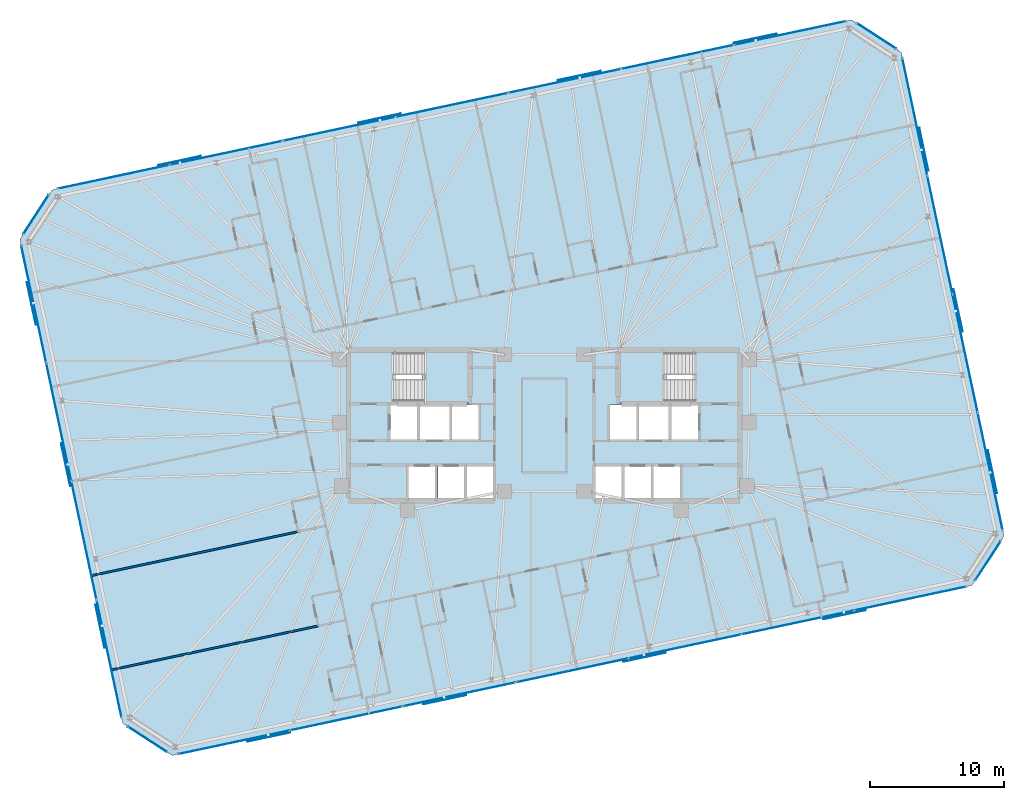
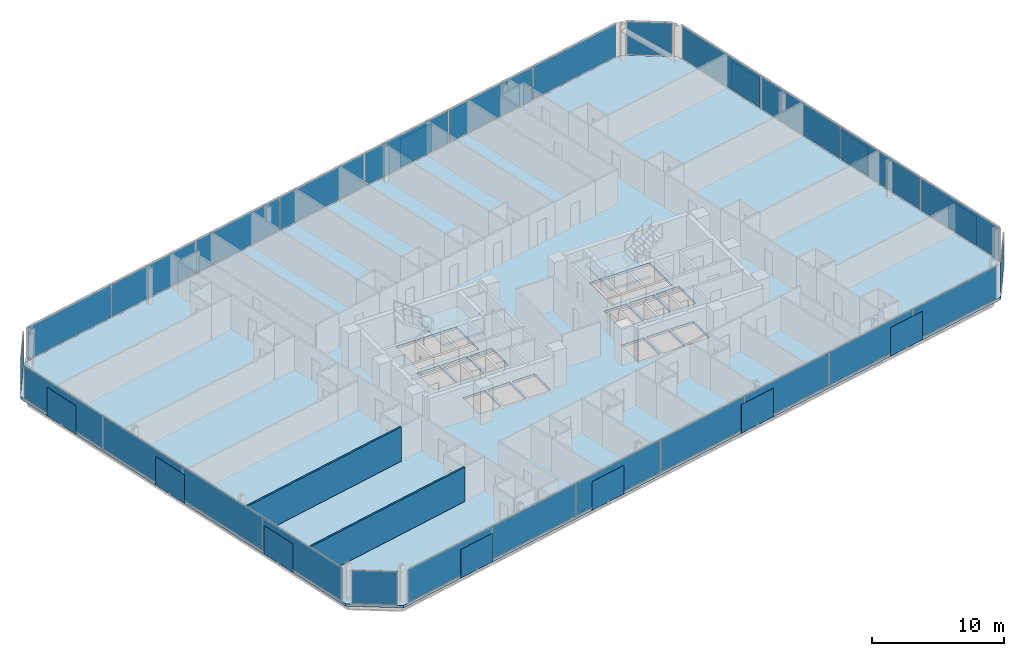
# One storey, part 13 of 20: 40 plates, 3 slabs, 2 walls, 10 elements without a shape of their own.
"""IFC4 building model written with IfcOpenShell, lengths in metres."""

from ifc_helpers import new_model, si_unit, direction, frame, frame_2d, origin, origin_2d, place, context, subcontext, project, spatial, polyline, rectangle, outline, extrude, material, layer, layer_set, type_object, element, aggregate, save


model = new_model("IFC4")

# Units and contexts
model_context = context("Model", 3, precision=1e-05, world=origin(), true_north=direction((0.0, 1.0)))
body_context = subcontext(model_context, "Body", "Model", "MODEL_VIEW")
ifc_project = project(units=[si_unit("LENGTHUNIT", "METRE"), si_unit("AREAUNIT", "SQUARE_METRE"), si_unit("VOLUMEUNIT", "CUBIC_METRE"), si_unit("PLANEANGLEUNIT", "RADIAN"), si_unit("MASSUNIT", "GRAM", prefix="KILO")], contexts=[model_context])

# Site, building, storey
site_placement = place(None, origin())
site = spatial("IfcSite", under=ifc_project, at=site_placement, CompositionType="ELEMENT")
building_placement = place(site_placement, origin())
building = spatial("IfcBuilding", under=site, at=building_placement, Name="Menara Jurai Vektor", CompositionType="ELEMENT")
storey_placement = place(building_placement, frame((0.0, 0.0, 185.39990234375)))
storey = spatial("IfcBuildingStorey", under=building, at=storey_placement, Name="L48", CompositionType="ELEMENT", Elevation=185.39990234375)

# Curtain wall, plates
ifc_material_1 = material(Name="Anodised Pale Aluminium & Low-E Double Glazing", Category="aluminium")
curtain_wall_type = type_object("IfcCurtainWallType", Name="CW-BLK3", PredefinedType="NOTDEFINED", material=ifc_material_1)
curtain_wall_1_placement = place(storey_placement, origin())
curtain_wall_1 = element("IfcCurtainWall", 1, at=curtain_wall_1_placement, inside=storey, type_object=curtain_wall_type, Name="Unitised Curtain Wall L48 F01", PredefinedType="NOTDEFINED")
ifc_material_2 = material(Name="Low-E Solar-Control Double Glazed Unit", Category="glass")
ifc_layer_1 = layer(ifc_material_2, 0.031982421875)
ifc_layer_set_1 = layer_set([ifc_layer_1], Name="Low-E Solar-Control Double Glazed Unit")
plate_type_1 = type_object("IfcPlateType", Name="CW-BLK3-PNL", PredefinedType="CURTAIN_PANEL", material=ifc_layer_set_1)
plate_1_placement = place(storey_placement, frame((-23.078369140625, -23.57568359375, 0.085205078125), z_axis=(0.0, 0.0, 1.0), x_axis=(0.978147674419, 0.207911344156, 0.0)))
plate_1 = element("IfcPlate", 2, at=plate_1_placement, type_object=plate_type_1, Name="CW-03 panel 1.1", PredefinedType="CURTAIN_PANEL", context=body_context, shape_type="SweptSolid", body=[
    extrude(rectangle(XDim=8.44970703125, YDim=0.031982421875, at=origin_2d()), origin(), (0.0, 0.0, 1.0), 3.0048828125),
])
plate_2_placement = place(storey_placement, frame((-14.709228515625, -21.796875, 0.085205078125), z_axis=(0.0, 0.0, 1.0), x_axis=(0.978147674419, 0.207911344156, 0.0)))
plate_2 = element("IfcPlate", 3, at=plate_2_placement, type_object=plate_type_1, Name="CW-03 panel 2.1", PredefinedType="CURTAIN_PANEL", context=body_context, shape_type="SweptSolid", body=[
    extrude(rectangle(XDim=8.4921875, YDim=0.031982421875, at=origin_2d()), origin(), (0.0, 0.0, 1.0), 3.0048828125),
])
plate_3_placement = place(storey_placement, frame((-6.319580078125, -20.013427734375, 0.085205078125), z_axis=(0.0, 0.0, 1.0), x_axis=(0.978147674419, 0.207911344156, 0.0)))
plate_3 = element("IfcPlate", 4, at=plate_3_placement, type_object=plate_type_1, Name="CW-03 panel 3.1", PredefinedType="CURTAIN_PANEL", context=body_context, shape_type="SweptSolid", body=[
    extrude(rectangle(XDim=8.4921875, YDim=0.031982421875, at=origin_2d()), origin(), (0.0, 0.0, 1.0), 3.0048828125),
])
plate_4_placement = place(storey_placement, frame((2.070068359375, -18.230224609375, 0.085205078125), z_axis=(0.0, 0.0, 1.0), x_axis=(0.978147674419, 0.207911344156, 0.0)))
plate_4 = element("IfcPlate", 5, at=plate_4_placement, type_object=plate_type_1, Name="CW-03 panel 4.1", PredefinedType="CURTAIN_PANEL", context=body_context, shape_type="SweptSolid", body=[
    extrude(rectangle(XDim=8.4921875, YDim=0.031982421875, at=origin_2d()), origin(), (0.0, 0.0, 1.0), 3.0048828125),
])
plate_5_placement = place(storey_placement, frame((10.459716796875, -16.447021484375, 0.085205078125), z_axis=(0.0, 0.0, 1.0), x_axis=(0.978147674419, 0.207911344156, 0.0)))
plate_5 = element("IfcPlate", 6, at=plate_5_placement, type_object=plate_type_1, Name="CW-03 panel 5.1", PredefinedType="CURTAIN_PANEL", context=body_context, shape_type="SweptSolid", body=[
    extrude(rectangle(XDim=8.4921875, YDim=0.031982421875, at=origin_2d()), origin(), (0.0, 0.0, 1.0), 3.0048828125),
])
plate_6_placement = place(storey_placement, frame((18.849609375, -14.66357421875, 0.085205078125), z_axis=(0.0, 0.0, 1.0), x_axis=(0.978147674419, 0.207911344156, 0.0)))
plate_6 = element("IfcPlate", 7, at=plate_6_placement, type_object=plate_type_1, Name="CW-03 panel 6.1", PredefinedType="CURTAIN_PANEL", context=body_context, shape_type="SweptSolid", body=[
    extrude(rectangle(XDim=8.4921875, YDim=0.031982421875, at=origin_2d()), origin(), (0.0, 0.0, 1.0), 3.0048828125),
])
plate_7_placement = place(storey_placement, frame((27.218505859375, -12.884765625, 0.085205078125), z_axis=(0.0, 0.0, 1.0), x_axis=(0.978147674419, 0.207911344156, 0.0)))
plate_7 = element("IfcPlate", 8, at=plate_7_placement, type_object=plate_type_1, Name="CW-03 panel 7.1", PredefinedType="CURTAIN_PANEL", context=body_context, shape_type="SweptSolid", body=[
    extrude(rectangle(XDim=8.44970703125, YDim=0.031982421875, at=origin_2d()), origin(), (0.0, 0.0, 1.0), 3.0048828125),
])
aggregate(curtain_wall_1, [plate_1, plate_2, plate_3, plate_4, plate_5, plate_6, plate_7])

curtain_wall_2_placement = place(storey_placement, origin())
curtain_wall_2 = element("IfcCurtainWall", 9, at=curtain_wall_2_placement, inside=storey, type_object=curtain_wall_type, Name="Unitised Curtain Wall L48 F03", PredefinedType="NOTDEFINED")
plate_8_placement = place(storey_placement, frame((33.17333984375, -3.433837890625, 0.085205078125), z_axis=(0.0, 0.0, 1.0), x_axis=(-0.20791035839, 0.978147883949, 0.0)))
plate_8 = element("IfcPlate", 10, at=plate_8_placement, type_object=plate_type_1, Name="CW-03 panel 1.1", PredefinedType="CURTAIN_PANEL", context=body_context, shape_type="SweptSolid", body=[
    extrude(rectangle(XDim=8.882568359375, YDim=0.031982421875, at=origin_2d()), origin(), (0.0, 0.0, 1.0), 3.0048828125),
])
plate_9_placement = place(storey_placement, frame((31.3046875, 5.3583984375, 0.085205078125), z_axis=(0.0, 0.0, 1.0), x_axis=(-0.20791035839, 0.978147883949, 0.0)))
plate_9 = element("IfcPlate", 11, at=plate_9_placement, type_object=plate_type_1, Name="CW-03 panel 2.1", PredefinedType="CURTAIN_PANEL", context=body_context, shape_type="SweptSolid", body=[
    extrude(rectangle(XDim=8.925048828125, YDim=0.031982421875, at=origin_2d()), origin(), (0.0, 0.0, 1.0), 3.0048828125),
])
plate_10_placement = place(storey_placement, frame((29.431396484375, 14.171630859375, 0.085205078125), z_axis=(0.0, 0.0, 1.0), x_axis=(-0.20791035839, 0.978147883949, 0.0)))
plate_10 = element("IfcPlate", 12, at=plate_10_placement, type_object=plate_type_1, Name="CW-03 panel 3.1", PredefinedType="CURTAIN_PANEL", context=body_context, shape_type="SweptSolid", body=[
    extrude(rectangle(XDim=8.925048828125, YDim=0.031982421875, at=origin_2d()), origin(), (0.0, 0.0, 1.0), 3.0048828125),
])
plate_11_placement = place(storey_placement, frame((27.5625, 22.9638671875, 0.085205078125), z_axis=(0.0, 0.0, 1.0), x_axis=(-0.20791035839, 0.978147883949, 0.0)))
plate_11 = element("IfcPlate", 13, at=plate_11_placement, type_object=plate_type_1, Name="CW-03 panel 4.1", PredefinedType="CURTAIN_PANEL", context=body_context, shape_type="SweptSolid", body=[
    extrude(rectangle(XDim=8.882568359375, YDim=0.031982421875, at=origin_2d()), origin(), (0.0, 0.0, 1.0), 3.0048828125),
])
aggregate(curtain_wall_2, [plate_8, plate_9, plate_10, plate_11])

curtain_wall_3_placement = place(storey_placement, origin())
curtain_wall_3 = element("IfcCurtainWall", 14, at=curtain_wall_3_placement, inside=storey, type_object=curtain_wall_type, Name="Unitised Curtain Wall L48 F05", PredefinedType="NOTDEFINED")
plate_12_placement = place(storey_placement, frame((18.2783203125, 29.175537109375, 0.085205078125), z_axis=(0.0, 0.0, 1.0), x_axis=(-0.978147674419, -0.207911344156, 0.0)))
plate_12 = element("IfcPlate", 15, at=plate_12_placement, type_object=plate_type_1, Name="CW-03 panel 1.1", PredefinedType="CURTAIN_PANEL", context=body_context, shape_type="SweptSolid", body=[
    extrude(rectangle(XDim=8.44970703125, YDim=0.031982421875, at=origin_2d()), origin(), (0.0, 0.0, 1.0), 3.0048828125),
])
plate_13_placement = place(storey_placement, frame((9.909423828125, 27.396728515625, 0.085205078125), z_axis=(0.0, 0.0, 1.0), x_axis=(-0.978147674419, -0.207911344156, 0.0)))
plate_13 = element("IfcPlate", 16, at=plate_13_placement, type_object=plate_type_1, Name="CW-03 panel 2.1", PredefinedType="CURTAIN_PANEL", context=body_context, shape_type="SweptSolid", body=[
    extrude(rectangle(XDim=8.4921875, YDim=0.031982421875, at=origin_2d()), origin(), (0.0, 0.0, 1.0), 3.0048828125),
])
plate_14_placement = place(storey_placement, frame((1.51953125, 25.613525390625, 0.085205078125), z_axis=(0.0, 0.0, 1.0), x_axis=(-0.978147674419, -0.207911344156, 0.0)))
plate_14 = element("IfcPlate", 17, at=plate_14_placement, type_object=plate_type_1, Name="CW-03 panel 3.1", PredefinedType="CURTAIN_PANEL", context=body_context, shape_type="SweptSolid", body=[
    extrude(rectangle(XDim=8.4921875, YDim=0.031982421875, at=origin_2d()), origin(), (0.0, 0.0, 1.0), 3.0048828125),
])
plate_15_placement = place(storey_placement, frame((-6.8701171875, 23.830078125, 0.085205078125), z_axis=(0.0, 0.0, 1.0), x_axis=(-0.978147674419, -0.207911344156, 0.0)))
plate_15 = element("IfcPlate", 18, at=plate_15_placement, type_object=plate_type_1, Name="CW-03 panel 4.1", PredefinedType="CURTAIN_PANEL", context=body_context, shape_type="SweptSolid", body=[
    extrude(rectangle(XDim=8.4921875, YDim=0.031982421875, at=origin_2d()), origin(), (0.0, 0.0, 1.0), 3.0048828125),
])
plate_16_placement = place(storey_placement, frame((-15.259765625, 22.046875, 0.085205078125), z_axis=(0.0, 0.0, 1.0), x_axis=(-0.978147674419, -0.207911344156, 0.0)))
plate_16 = element("IfcPlate", 19, at=plate_16_placement, type_object=plate_type_1, Name="CW-03 panel 5.1", PredefinedType="CURTAIN_PANEL", context=body_context, shape_type="SweptSolid", body=[
    extrude(rectangle(XDim=8.4921875, YDim=0.031982421875, at=origin_2d()), origin(), (0.0, 0.0, 1.0), 3.0048828125),
])
plate_17_placement = place(storey_placement, frame((-23.6494140625, 20.263671875, 0.085205078125), z_axis=(0.0, 0.0, 1.0), x_axis=(-0.978147674419, -0.207911344156, 0.0)))
plate_17 = element("IfcPlate", 20, at=plate_17_placement, type_object=plate_type_1, Name="CW-03 panel 6.1", PredefinedType="CURTAIN_PANEL", context=body_context, shape_type="SweptSolid", body=[
    extrude(rectangle(XDim=8.4921875, YDim=0.031982421875, at=origin_2d()), origin(), (0.0, 0.0, 1.0), 3.0048828125),
])
plate_18_placement = place(storey_placement, frame((-32.0185546875, 18.48486328125, 0.085205078125), z_axis=(0.0, 0.0, 1.0), x_axis=(-0.978147674419, -0.207911344156, 0.0)))
plate_18 = element("IfcPlate", 21, at=plate_18_placement, type_object=plate_type_1, Name="CW-03 panel 7.1", PredefinedType="CURTAIN_PANEL", context=body_context, shape_type="SweptSolid", body=[
    extrude(rectangle(XDim=8.44970703125, YDim=0.031982421875, at=origin_2d()), origin(), (0.0, 0.0, 1.0), 3.0048828125),
])
aggregate(curtain_wall_3, [plate_12, plate_13, plate_14, plate_15, plate_16, plate_17, plate_18])

curtain_wall_4_placement = place(storey_placement, origin())
curtain_wall_4 = element("IfcCurtainWall", 22, at=curtain_wall_4_placement, inside=storey, type_object=curtain_wall_type, Name="Unitised Curtain Wall L48 F07", PredefinedType="NOTDEFINED")
plate_19_placement = place(storey_placement, frame((-37.973388671875, 9.033935546875, 0.085205078125), z_axis=(0.0, 0.0, 1.0), x_axis=(0.20791035839, -0.978147883949, 0.0)))
plate_19 = element("IfcPlate", 23, at=plate_19_placement, type_object=plate_type_1, Name="CW-03 panel 1.1", PredefinedType="CURTAIN_PANEL", context=body_context, shape_type="SweptSolid", body=[
    extrude(rectangle(XDim=8.882568359375, YDim=0.031982421875, at=origin_2d()), origin(), (0.0, 0.0, 1.0), 3.0048828125),
])
plate_20_placement = place(storey_placement, frame((-36.1044921875, 0.241455078125, 0.085205078125), z_axis=(0.0, 0.0, 1.0), x_axis=(0.20791035839, -0.978147883949, 0.0)))
plate_20 = element("IfcPlate", 24, at=plate_20_placement, type_object=plate_type_1, Name="CW-03 panel 2.1", PredefinedType="CURTAIN_PANEL", context=body_context, shape_type="SweptSolid", body=[
    extrude(rectangle(XDim=8.925048828125, YDim=0.031982421875, at=origin_2d()), origin(), (0.0, 0.0, 1.0), 3.0048828125),
])
plate_21_placement = place(storey_placement, frame((-34.231201171875, -8.571533203125, 0.085205078125), z_axis=(0.0, 0.0, 1.0), x_axis=(0.20791035839, -0.978147883949, 0.0)))
plate_21 = element("IfcPlate", 25, at=plate_21_placement, type_object=plate_type_1, Name="CW-03 panel 3.1", PredefinedType="CURTAIN_PANEL", context=body_context, shape_type="SweptSolid", body=[
    extrude(rectangle(XDim=8.925048828125, YDim=0.031982421875, at=origin_2d()), origin(), (0.0, 0.0, 1.0), 3.0048828125),
])
plate_22_placement = place(storey_placement, frame((-32.362548828125, -17.364013671875, 0.085205078125), z_axis=(0.0, 0.0, 1.0), x_axis=(0.20791035839, -0.978147883949, 0.0)))
plate_22 = element("IfcPlate", 26, at=plate_22_placement, type_object=plate_type_1, Name="CW-03 panel 4.1", PredefinedType="CURTAIN_PANEL", context=body_context, shape_type="SweptSolid", body=[
    extrude(rectangle(XDim=8.882568359375, YDim=0.031982421875, at=origin_2d()), origin(), (0.0, 0.0, 1.0), 3.0048828125),
])
aggregate(curtain_wall_4, [plate_19, plate_20, plate_21, plate_22])

# Curtain wall, plate
curtain_wall_5_placement = place(storey_placement, origin())
curtain_wall_5 = element("IfcCurtainWall", 27, at=curtain_wall_5_placement, inside=storey, type_object=curtain_wall_type, Name="Unitised Curtain Wall L48 F02", PredefinedType="NOTDEFINED")
ifc_material_3 = material(Name="Insulated Pale Aluminium Spandrel Panel", Category="aluminium")
ifc_layer_2 = layer(ifc_material_3, 0.06005859375)
ifc_layer_set_2 = layer_set([ifc_layer_2], Name="Insulated Pale Aluminium Spandrel Panel")
plate_type_2 = type_object("IfcPlateType", Name="CW-PNL-SP", PredefinedType="CURTAIN_PANEL", material=ifc_layer_set_2)
plate_23_placement = place(storey_placement, frame((32.999755859375, -10.0712890625, 0.085205078125), z_axis=(0.0, 0.0, 1.0), x_axis=(0.544617794346, 0.838684361415, 0.0)))
plate_23 = element("IfcPlate", 28, at=plate_23_placement, type_object=plate_type_2, Name="CW-03 panel 1.1", PredefinedType="CURTAIN_PANEL", context=body_context, shape_type="SweptSolid", body=[
    extrude(rectangle(XDim=3.4541015625, YDim=0.06005859375, at=origin_2d()), origin(), (0.0, 0.0, 1.0), 3.0048828125),
])
aggregate(curtain_wall_5, [plate_23])

curtain_wall_6_placement = place(storey_placement, origin())
curtain_wall_6 = element("IfcCurtainWall", 29, at=curtain_wall_6_placement, inside=storey, type_object=curtain_wall_type, Name="Unitised Curtain Wall L48 F04", PredefinedType="NOTDEFINED")
plate_24_placement = place(storey_placement, frame((24.7041015625, 28.956787109375, 0.085205078125), z_axis=(0.0, 0.0, 1.0), x_axis=(-0.838684361415, 0.544617794346, 0.0)))
plate_24 = element("IfcPlate", 30, at=plate_24_placement, type_object=plate_type_2, Name="CW-03 panel 1.1", PredefinedType="CURTAIN_PANEL", context=body_context, shape_type="SweptSolid", body=[
    extrude(rectangle(XDim=3.4541015625, YDim=0.06005859375, at=origin_2d()), origin(), (0.0, 0.0, 1.0), 3.0048828125),
])
aggregate(curtain_wall_6, [plate_24])

curtain_wall_7_placement = place(storey_placement, origin())
curtain_wall_7 = element("IfcCurtainWall", 31, at=curtain_wall_7_placement, inside=storey, type_object=curtain_wall_type, Name="Unitised Curtain Wall L48 F06", PredefinedType="NOTDEFINED")
plate_25_placement = place(storey_placement, frame((-37.799560546875, 15.67138671875, 0.085205078125), z_axis=(0.0, 0.0, 1.0), x_axis=(-0.544617794346, -0.838684361415, 0.0)))
plate_25 = element("IfcPlate", 32, at=plate_25_placement, type_object=plate_type_2, Name="CW-03 panel 1.1", PredefinedType="CURTAIN_PANEL", context=body_context, shape_type="SweptSolid", body=[
    extrude(rectangle(XDim=3.4541015625, YDim=0.06005859375, at=origin_2d()), origin(), (0.0, 0.0, 1.0), 3.0048828125),
])
aggregate(curtain_wall_7, [plate_25])

curtain_wall_8_placement = place(storey_placement, origin())
curtain_wall_8 = element("IfcCurtainWall", 33, at=curtain_wall_8_placement, inside=storey, type_object=curtain_wall_type, Name="Unitised Curtain Wall L48 F08", PredefinedType="NOTDEFINED")
plate_26_placement = place(storey_placement, frame((-29.50390625, -23.35693359375, 0.085205078125), z_axis=(0.0, 0.0, 1.0), x_axis=(0.838684361415, -0.544617794346, 0.0)))
plate_26 = element("IfcPlate", 34, at=plate_26_placement, type_object=plate_type_2, Name="CW-03 panel 1.1", PredefinedType="CURTAIN_PANEL", context=body_context, shape_type="SweptSolid", body=[
    extrude(rectangle(XDim=3.4541015625, YDim=0.06005859375, at=origin_2d()), origin(), (0.0, 0.0, 1.0), 3.0048828125),
])
aggregate(curtain_wall_8, [plate_26])

# Plates
ifc_material_4 = material(Name="Anodised Pale Aluminium Perforated Screen", Category="aluminium")
ifc_layer_3 = layer(ifc_material_4, 0.02294921875)
ifc_layer_set_3 = layer_set([ifc_layer_3], Name="Anodised Pale Aluminium Perforated Screen")
plate_type_3 = type_object("IfcPlateType", Name="ENV-PLT-SCREEN-MID", PredefinedType="USERDEFINED", material=ifc_layer_set_3)
for number, where, z_axis, x_axis, name in (
    (35, (-20.495849609375, -23.190185546875, -0.0498046875), (0.0, 0.0, 1.0), (0.978147600734, 0.207911690818, 0.0), "Perforated Pale-Metal Solar Screen L48-S01"),
    (36, (-7.412109375, -20.4091796875, -0.0498046875), (0.0, 0.0, 1.0), (0.978147600734, 0.207911690818, 0.0), "Perforated Pale-Metal Solar Screen L48-S02"),
    (37, (7.455810546875, -17.2490234375, -0.0498046875), (0.0, 0.0, 1.0), (0.978147600734, 0.207911690818, 0.0), "Perforated Pale-Metal Solar Screen L48-S03"),
    (38, (22.323486328125, -14.0888671875, -0.0498046875), (0.0, 0.0, 1.0), (0.978147600734, 0.207911690818, 0.0), "Perforated Pale-Metal Solar Screen L48-S04"),
    (39, (33.342529296875, -3.460205078125, -0.0498046875), (0.0, 0.0, 1.0), (-0.207911690818, 0.978147600734, 0.0), "Perforated Pale-Metal Solar Screen L48-S05"),
    (40, (30.792236328125, 8.53857421875, -0.0498046875), (0.0, 0.0, 1.0), (-0.207911690818, 0.978147600734, 0.0), "Perforated Pale-Metal Solar Screen L48-S06"),
    (41, (28.241943359375, 20.537109375, -0.0498046875), (0.0, 0.0, 1.0), (-0.207911690818, 0.978147600734, 0.0), "Perforated Pale-Metal Solar Screen L48-S07"),
    (42, (15.69580078125, 28.790283203125, -0.0498046875), (0.0, 0.0, 1.0), (-0.978147600734, -0.207911690818, 0.0), "Perforated Pale-Metal Solar Screen L48-S08"),
    (43, (2.612060546875, 26.00927734375, -0.0498046875), (0.0, 0.0, 1.0), (-0.978147600734, -0.207911690818, 0.0), "Perforated Pale-Metal Solar Screen L48-S09"),
    (44, (-12.255859375, 22.84912109375, -0.0498046875), (0.0, 0.0, 1.0), (-0.978147600734, -0.207911690818, 0.0), "Perforated Pale-Metal Solar Screen L48-S10"),
    (45, (-27.12353515625, 19.688720703125, -0.0498046875), (0.0, 0.0, 1.0), (-0.978147600734, -0.207911690818, 0.0), "Perforated Pale-Metal Solar Screen L48-S11"),
    (46, (-38.142578125, 9.060302734375, -0.0498046875), (0.0, 0.0, 1.0), (0.207911690818, -0.978147600734, 0.0), "Perforated Pale-Metal Solar Screen L48-S12"),
    (47, (-35.59228515625, -2.9384765625, -0.0498046875), (0.0, 0.0, 1.0), (0.207911690818, -0.978147600734, 0.0), "Perforated Pale-Metal Solar Screen L48-S13"),
    (48, (-33.0419921875, -14.93701171875, -0.0498046875), (0.0, 0.0, 1.0), (0.207911690818, -0.978147600734, 0.0), "Perforated Pale-Metal Solar Screen L48-S14"),
):
    element("IfcPlate", number, at=place(storey_placement, frame(where, z_axis=z_axis, x_axis=x_axis)), inside=storey, type_object=plate_type_3, Name=name, ObjectType="SCREEN", PredefinedType="USERDEFINED", context=body_context, shape_type="SweptSolid", body=[
        extrude(rectangle(XDim=3.25, YDim=0.02294921875, at=origin_2d()), origin(), (0.0, 0.0, 1.0), 2.64990234375),
    ])

# Stair, slab
ifc_material_5 = material(Name="Concrete C40/50", Category="concrete")
stair_type = type_object("IfcStairType", Name="STAIR-DOGLEG-1500", PredefinedType="HALF_TURN_STAIR", material=ifc_material_5)
stair_1_placement = place(storey_placement, origin())
stair_1 = element("IfcStair", 49, at=stair_1_placement, inside=storey, type_object=stair_type, Name="Protected Exit Stair ST1 L48", PredefinedType="HALF_TURN_STAIR")
ifc_layer_4 = layer(ifc_material_5, 0.199951171875)
ifc_layer_set_4 = layer_set([ifc_layer_4], Name="Concrete C40/50")
slab_type_1 = type_object("IfcSlabType", Name="STAIR-LANDING-200", PredefinedType="LANDING", material=ifc_layer_set_4)
slab_1_placement = place(storey_placement, frame((0.0, 0.0, 1.5)))
slab_1 = element("IfcSlab", 50, at=slab_1_placement, type_object=slab_type_1, Name="ST1 landing 1", PredefinedType="LANDING", context=body_context, shape_type="SweptSolid", body=[
    extrude(outline(polyline([(-9.080078125, 1.64990234375), (-5.550048828125, 1.64990234375), (-5.550048828125, 5.550048828125), (-9.080078125, 5.550048828125), (-9.080078125, 1.64990234375)])), origin(), (0.0, 0.0, 1.0), 0.2001953125),
])
aggregate(stair_1, [slab_1])

stair_2_placement = place(storey_placement, origin())
stair_2 = element("IfcStair", 51, at=stair_2_placement, inside=storey, type_object=stair_type, Name="Protected Exit Stair ST2 L48", PredefinedType="HALF_TURN_STAIR")
slab_2_placement = place(storey_placement, frame((0.0, 0.0, 1.5)))
slab_2 = element("IfcSlab", 52, at=slab_2_placement, type_object=slab_type_1, Name="ST2 landing 1", PredefinedType="LANDING", context=body_context, shape_type="SweptSolid", body=[
    extrude(outline(polyline([(5.550048828125, 1.64990234375), (9.080078125, 1.64990234375), (9.080078125, 5.550048828125), (5.550048828125, 5.550048828125), (5.550048828125, 1.64990234375)])), origin(), (0.0, 0.0, 1.0), 0.2001953125),
])
aggregate(stair_2, [slab_2])

# Slab
ifc_layer_5 = layer(ifc_material_5, 0.22509765625)
ifc_layer_set_5 = layer_set([ifc_layer_5], Name="Concrete C40/50")
slab_type_2 = type_object("IfcSlabType", Name="STR-SLAB-TYP200", PredefinedType="FLOOR", material=ifc_layer_set_5)
slab_3_placement = place(storey_placement, frame((0.0, 0.0, -0.224853515625)))
element("IfcSlab", 53, at=slab_3_placement, inside=storey, type_object=slab_type_2, Name="Composite Floor Slab L48", PredefinedType="FLOOR", context=body_context, shape_type="SweptSolid", body=[
    extrude(outline(polyline([(-27.66552734375, -24.55078125), (31.805908203125, -11.90966796875), (34.193603515625, -8.23291015625), (26.54248046875, 27.762939453125), (22.865478515625, 30.150634765625), (-36.605712890625, 17.509765625), (-38.993408203125, 13.8330078125), (-31.34228515625, -22.1630859375), (-27.66552734375, -24.55078125)]), holes=[polyline([(-11.10009765625, 1.89990234375), (-11.10009765625, 5.300048828125), (-5.800048828125, 5.300048828125), (-5.800048828125, 1.89990234375), (-11.10009765625, 1.89990234375)]), polyline([(5.800048828125, 1.89990234375), (5.800048828125, 5.300048828125), (11.10009765625, 5.300048828125), (11.10009765625, 1.89990234375), (5.800048828125, 1.89990234375)]), polyline([(-11.449951171875, -1.050048828125), (-11.449951171875, 1.5), (-9.449951171875, 1.5), (-9.449951171875, -1.050048828125), (-11.449951171875, -1.050048828125)]), polyline([(9.449951171875, -1.050048828125), (9.449951171875, 1.5), (11.449951171875, 1.5), (11.449951171875, -1.050048828125), (9.449951171875, -1.050048828125)]), polyline([(-5.760009765625, -5.5), (-5.760009765625, -3.050048828125), (-3.800048828125, -3.050048828125), (-3.800048828125, -5.5), (-5.760009765625, -5.5)]), polyline([(-6.85009765625, -1.050048828125), (-6.85009765625, 1.5), (-4.889892578125, 1.5), (-4.889892578125, -1.050048828125), (-6.85009765625, -1.050048828125)]), polyline([(3.800048828125, -5.5), (3.800048828125, -3.050048828125), (5.760009765625, -3.050048828125), (5.760009765625, -5.5), (3.800048828125, -5.5)]), polyline([(4.889892578125, -1.050048828125), (4.889892578125, 1.5), (6.85009765625, 1.5), (6.85009765625, -1.050048828125), (4.889892578125, -1.050048828125)]), polyline([(-10.080078125, -5.5), (-10.080078125, -3.050048828125), (-8.1201171875, -3.050048828125), (-8.1201171875, -5.5), (-10.080078125, -5.5)]), polyline([(-7.919921875, -5.5), (-7.919921875, -3.050048828125), (-5.9599609375, -3.050048828125), (-5.9599609375, -5.5), (-7.919921875, -5.5)]), polyline([(5.9599609375, -5.5), (5.9599609375, -3.050048828125), (7.919921875, -3.050048828125), (7.919921875, -5.5), (5.9599609375, -5.5)]), polyline([(8.1201171875, -5.5), (8.1201171875, -3.050048828125), (10.080078125, -3.050048828125), (10.080078125, -5.5), (8.1201171875, -5.5)]), polyline([(-9.25, -1.050048828125), (-9.25, 1.5), (-7.050048828125, 1.5), (-7.050048828125, -1.050048828125), (-9.25, -1.050048828125)]), polyline([(7.050048828125, -1.050048828125), (7.050048828125, 1.5), (9.25, 1.5), (9.25, -1.050048828125), (7.050048828125, -1.050048828125)])]), origin(), (0.0, 0.0, 1.0), 0.224853515625),
])

# Walls
ifc_material_6 = material(Name="Gypsum Fireboard Partition", Category="gypsum")
ifc_layer_6 = layer(ifc_material_6, 0.14990234375)
ifc_layer_set_6 = layer_set([ifc_layer_6], Name="Gypsum Fireboard Partition")
wall_type = type_object("IfcWallType", Name="INT-WALL-CORR-150", PredefinedType="PARTITIONING", material=ifc_layer_set_6)
for number, where, z_axis, x_axis, name in (
    (54, (-32.18798828125, -18.184814453125, 0.0), (0.0, 0.0, 1.0), (0.978149296727, 0.207903711638, 0.0), "Interior Wall IW-150 L48"),
    (55, (-33.677734375, -11.17529296875, 0.0), (0.0, 0.0, 1.0), (0.978149296727, 0.207903711638, 0.0), "Interior Wall IW-150 L48"),
):
    element("IfcWall", number, at=place(storey_placement, frame(where, z_axis=z_axis, x_axis=x_axis)), inside=storey, type_object=wall_type, Name=name, PredefinedType="PARTITIONING", context=body_context, shape_type="SweptSolid", body=[
        extrude(rectangle(XDim=15.718017578125, YDim=0.14990234375, at=frame_2d((7.85888671875, 0.0))), origin(), (0.0, 0.0, 1.0), 3.175048828125),
    ])

save(model, "model.ifc")
